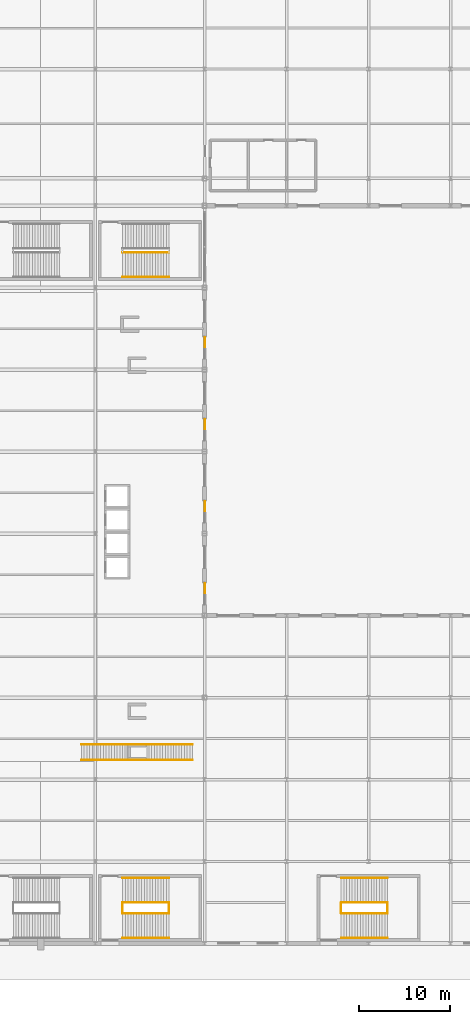
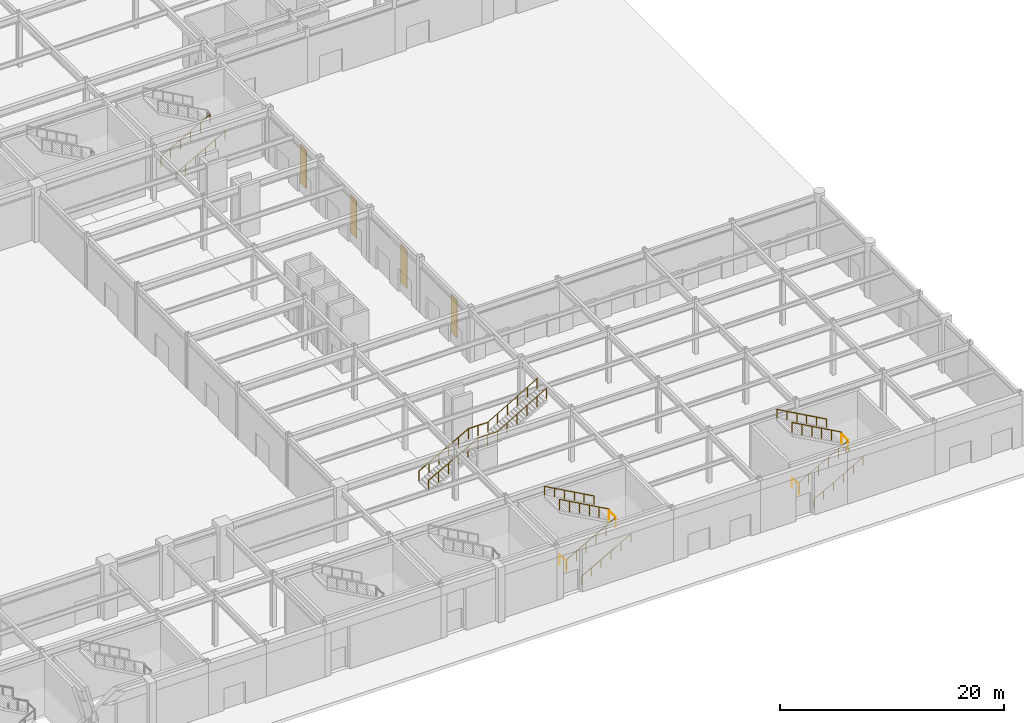
# One storey, part 43 of 44: 16 railings, 4 coverings.
"""IFC4 building model written with IfcOpenShell, lengths in metres."""

from ifc_helpers import new_model, si_unit, direction, frame, origin, origin_2d, place, context, subcontext, project, spatial, rectangle, circle, extrude, material, layer, layer_set, type_object, element, save


model = new_model("IFC4")

# Units and contexts
model_context = context("Model", 3, precision=1e-05, world=origin(), true_north=direction((0.0, 1.0)))
body_context = subcontext(model_context, "Body", "Model", "MODEL_VIEW")
ifc_project = project(units=[si_unit("LENGTHUNIT", "METRE"), si_unit("AREAUNIT", "SQUARE_METRE"), si_unit("VOLUMEUNIT", "CUBIC_METRE"), si_unit("PLANEANGLEUNIT", "RADIAN"), si_unit("MASSUNIT", "GRAM", prefix="KILO")], contexts=[model_context])

# Site, building, storey
site_placement = place(None, origin())
site = spatial("IfcSite", under=ifc_project, at=site_placement, CompositionType="ELEMENT")
building_placement = place(site_placement, origin())
building = spatial("IfcBuilding", under=site, at=building_placement, Name="Kaldorvane Square Convention Centre", CompositionType="ELEMENT")
storey_placement = place(building_placement, origin())
storey = spatial("IfcBuildingStorey", under=building, at=storey_placement, Name="L00", CompositionType="ELEMENT", Elevation=0.0)

# Coverings
ifc_material_1 = material(Name="Concrete f'c = 42 MPa (Normalweight) Precast", Category="concrete")
ifc_layer = layer(ifc_material_1, 0.05999755859375)
ifc_layer_set = layer_set([ifc_layer], Name="Concrete f'c = 42 MPa (Normalweight) Precast")
covering_type = type_object("IfcCoveringType", Name="CV-CLAD-060", PredefinedType="CLADDING", material=ifc_layer_set)
for number, where, z_axis, x_axis, name in (
    (1, (138.02999877929688, 39.0, 0.899993896484375), (0.0, 0.0, 1.0), (1.0, 0.0, 0.0), "Forecourt Pier Architectural Cladding 01"),
    (2, (138.02999877929688, 48.0, 0.899993896484375), (0.0, 0.0, 1.0), (1.0, 0.0, 0.0), "Forecourt Pier Architectural Cladding 02"),
    (3, (138.02999877929688, 57.0, 0.899993896484375), (0.0, 0.0, 1.0), (1.0, 0.0, 0.0), "Forecourt Pier Architectural Cladding 03"),
    (4, (138.02999877929688, 66.0, 0.899993896484375), (0.0, 0.0, 1.0), (1.0, 0.0, 0.0), "Forecourt Pier Architectural Cladding 04"),
):
    element("IfcCovering", number, at=place(storey_placement, frame(where, z_axis=z_axis, x_axis=x_axis)), inside=storey, type_object=covering_type, Name=name, PredefinedType="CLADDING", context=body_context, shape_type="SweptSolid", body=[
        extrude(rectangle(XDim=0.05999755859375, YDim=1.100006103515625, at=origin_2d()), origin(), (0.0, 0.0, 1.0), 4.1999969482421875),
    ])

# Railings
ifc_material_2 = material(Name="Architectural Painted Steel", Category="steel")
railing_type_1 = type_object("IfcRailingType", Name="RL-GUARD-1120", PredefinedType="BALUSTRADE", material=ifc_material_2)
for number, where, name in (
    (5, (128.99000549316406, 3.30999755859375, 0.0), "Convention Exit Stair C10 Floor Well Guard (L00)"),
    (6, (134.08999633789062, 3.30999755859375, 3.0), "Convention Exit Stair C10 Half-Landing Guard (L00)"),
):
    element("IfcRailing", number, at=place(storey_placement, frame(where)), inside=storey, type_object=railing_type_1, Name=name, PredefinedType="BALUSTRADE", context=body_context, shape_type="SweptSolid", body=[
        extrude(circle(Radius=0.0240020751953125, at=origin_2d()), frame((0.0, 0.0, 1.0959930419921875), z_axis=(0.0, 1.0, 0.0), x_axis=(-1.0, 0.0, 0.0)), (0.0, 0.0, 1.0), 1.19000244140625),
        extrude(circle(Radius=0.02099609375, at=origin_2d()), origin(), (0.0, 0.0, 1.0), 1.071990966796875),
        extrude(circle(Radius=0.02099609375, at=origin_2d()), frame((0.0, 1.19000244140625, 0.0)), (0.0, 0.0, 1.0), 1.071990966796875),
    ])
railing_1_placement = place(storey_placement, frame((128.99000549316406, 3.3000030517578125, 0.1666717529296875)))
element("IfcRailing", 7, at=railing_1_placement, inside=storey, type_object=railing_type_1, Name="Convention Exit Stair C10 Flight 1 Guard (L00)", PredefinedType="BALUSTRADE", context=body_context, shape_type="SweptSolid", body=[
    extrude(circle(Radius=0.0240020751953125, at=origin_2d()), frame((0.0, 0.0, 1.0959930419921875), z_axis=(0.874157276122, 0.0, 0.485642931179), x_axis=(0.0, 1.0, 0.0)), (0.0, 0.0, 1.0), 5.8341827392578125),
    extrude(circle(Radius=0.02099609375, at=origin_2d()), origin(), (0.0, 0.0, 1.0), 1.071990966796875),
    extrude(circle(Radius=0.02099609375, at=origin_2d()), frame((1.0200042724609375, 0.0, 0.5666656494140625)), (0.0, 0.0, 1.0), 1.071990966796875),
    extrude(circle(Radius=0.02099609375, at=origin_2d()), frame((2.0399932861328125, 0.0, 1.133331298828125)), (0.0, 0.0, 1.0), 1.071990966796875),
    extrude(circle(Radius=0.02099609375, at=origin_2d()), frame((3.05999755859375, 0.0, 1.6999969482421875)), (0.0, 0.0, 1.0), 1.071990966796875),
    extrude(circle(Radius=0.02099609375, at=origin_2d()), frame((4.079986572265625, 0.0, 2.26666259765625)), (0.0, 0.0, 1.0), 1.071990966796875),
    extrude(circle(Radius=0.02099609375, at=origin_2d()), frame((5.0999908447265625, 0.0, 2.8333282470703125)), (0.0, 0.0, 1.0), 1.071990966796875),
])
railing_2_placement = place(storey_placement, frame((134.08999633789062, 4.5099945068359375, 3.1666717529296875)))
element("IfcRailing", 8, at=railing_2_placement, inside=storey, type_object=railing_type_1, Name="Convention Exit Stair C10 Flight 2 Guard (L00)", PredefinedType="BALUSTRADE", context=body_context, shape_type="SweptSolid", body=[
    extrude(circle(Radius=0.0240020751953125, at=origin_2d()), frame((0.0, 0.0, 1.0959930419921875), z_axis=(-0.874157276122, 0.0, 0.485642931179), x_axis=(0.0, -1.0, 0.0)), (0.0, 0.0, 1.0), 5.8341827392578125),
    extrude(circle(Radius=0.02099609375, at=origin_2d()), origin(), (0.0, 0.0, 1.0), 1.071990966796875),
    extrude(circle(Radius=0.02099609375, at=origin_2d()), frame((-1.0200042724609375, 0.0, 0.5666656494140625)), (0.0, 0.0, 1.0), 1.071990966796875),
    extrude(circle(Radius=0.02099609375, at=origin_2d()), frame((-2.0399932861328125, 0.0, 1.133331298828125)), (0.0, 0.0, 1.0), 1.071990966796875),
    extrude(circle(Radius=0.02099609375, at=origin_2d()), frame((-3.05999755859375, 0.0, 1.6999969482421875)), (0.0, 0.0, 1.0), 1.071990966796875),
    extrude(circle(Radius=0.02099609375, at=origin_2d()), frame((-4.079986572265625, 0.0, 2.26666259765625)), (0.0, 0.0, 1.0), 1.071990966796875),
    extrude(circle(Radius=0.02099609375, at=origin_2d()), frame((-5.0999908447265625, 0.0, 2.8333282470703125)), (0.0, 0.0, 1.0), 1.071990966796875),
])
for number, where, name in (
    (9, (152.99000549316406, 3.30999755859375, 0.0), "Convention Exit Stair C11 Floor Well Guard (L00)"),
    (10, (158.08999633789062, 3.30999755859375, 3.0), "Convention Exit Stair C11 Half-Landing Guard (L00)"),
):
    element("IfcRailing", number, at=place(storey_placement, frame(where)), inside=storey, type_object=railing_type_1, Name=name, PredefinedType="BALUSTRADE", context=body_context, shape_type="SweptSolid", body=[
        extrude(circle(Radius=0.0240020751953125, at=origin_2d()), frame((0.0, 0.0, 1.0959930419921875), z_axis=(0.0, 1.0, 0.0), x_axis=(-1.0, 0.0, 0.0)), (0.0, 0.0, 1.0), 1.19000244140625),
        extrude(circle(Radius=0.02099609375, at=origin_2d()), origin(), (0.0, 0.0, 1.0), 1.071990966796875),
        extrude(circle(Radius=0.02099609375, at=origin_2d()), frame((0.0, 1.19000244140625, 0.0)), (0.0, 0.0, 1.0), 1.071990966796875),
    ])
railing_3_placement = place(storey_placement, frame((152.99000549316406, 3.3000030517578125, 0.1666717529296875)))
element("IfcRailing", 11, at=railing_3_placement, inside=storey, type_object=railing_type_1, Name="Convention Exit Stair C11 Flight 1 Guard (L00)", PredefinedType="BALUSTRADE", context=body_context, shape_type="SweptSolid", body=[
    extrude(circle(Radius=0.0240020751953125, at=origin_2d()), frame((0.0, 0.0, 1.0959930419921875), z_axis=(0.874157276122, 0.0, 0.485642931179), x_axis=(0.0, 1.0, 0.0)), (0.0, 0.0, 1.0), 5.8341827392578125),
    extrude(circle(Radius=0.02099609375, at=origin_2d()), origin(), (0.0, 0.0, 1.0), 1.071990966796875),
    extrude(circle(Radius=0.02099609375, at=origin_2d()), frame((1.0200042724609375, 0.0, 0.5666656494140625)), (0.0, 0.0, 1.0), 1.071990966796875),
    extrude(circle(Radius=0.02099609375, at=origin_2d()), frame((2.0399932861328125, 0.0, 1.133331298828125)), (0.0, 0.0, 1.0), 1.071990966796875),
    extrude(circle(Radius=0.02099609375, at=origin_2d()), frame((3.05999755859375, 0.0, 1.6999969482421875)), (0.0, 0.0, 1.0), 1.071990966796875),
    extrude(circle(Radius=0.02099609375, at=origin_2d()), frame((4.079986572265625, 0.0, 2.26666259765625)), (0.0, 0.0, 1.0), 1.071990966796875),
    extrude(circle(Radius=0.02099609375, at=origin_2d()), frame((5.0999908447265625, 0.0, 2.8333282470703125)), (0.0, 0.0, 1.0), 1.071990966796875),
])
railing_4_placement = place(storey_placement, frame((158.08999633789062, 4.5099945068359375, 3.1666717529296875)))
element("IfcRailing", 12, at=railing_4_placement, inside=storey, type_object=railing_type_1, Name="Convention Exit Stair C11 Flight 2 Guard (L00)", PredefinedType="BALUSTRADE", context=body_context, shape_type="SweptSolid", body=[
    extrude(circle(Radius=0.0240020751953125, at=origin_2d()), frame((0.0, 0.0, 1.0959930419921875), z_axis=(-0.874157276122, 0.0, 0.485642931179), x_axis=(0.0, -1.0, 0.0)), (0.0, 0.0, 1.0), 5.8341827392578125),
    extrude(circle(Radius=0.02099609375, at=origin_2d()), origin(), (0.0, 0.0, 1.0), 1.071990966796875),
    extrude(circle(Radius=0.02099609375, at=origin_2d()), frame((-1.0200042724609375, 0.0, 0.5666656494140625)), (0.0, 0.0, 1.0), 1.071990966796875),
    extrude(circle(Radius=0.02099609375, at=origin_2d()), frame((-2.0399932861328125, 0.0, 1.133331298828125)), (0.0, 0.0, 1.0), 1.071990966796875),
    extrude(circle(Radius=0.02099609375, at=origin_2d()), frame((-3.05999755859375, 0.0, 1.6999969482421875)), (0.0, 0.0, 1.0), 1.071990966796875),
    extrude(circle(Radius=0.02099609375, at=origin_2d()), frame((-4.079986572265625, 0.0, 2.26666259765625)), (0.0, 0.0, 1.0), 1.071990966796875),
    extrude(circle(Radius=0.02099609375, at=origin_2d()), frame((-5.0999908447265625, 0.0, 2.8333282470703125)), (0.0, 0.0, 1.0), 1.071990966796875),
])
railing_5_placement = place(storey_placement, frame((128.99000549316406, 75.85000610351562, 0.1666717529296875)))
element("IfcRailing", 13, at=railing_5_placement, inside=storey, type_object=railing_type_1, Name="Convention Exit Stair C18 Flight 1 Guard (L00)", PredefinedType="BALUSTRADE", context=body_context, shape_type="SweptSolid", body=[
    extrude(circle(Radius=0.0240020751953125, at=origin_2d()), frame((0.0, 0.0, 1.0959930419921875), z_axis=(0.874157276122, 0.0, 0.485642931179), x_axis=(0.0, 1.0, 0.0)), (0.0, 0.0, 1.0), 5.8341827392578125),
    extrude(circle(Radius=0.02099609375, at=origin_2d()), origin(), (0.0, 0.0, 1.0), 1.071990966796875),
    extrude(circle(Radius=0.02099609375, at=origin_2d()), frame((1.0200042724609375, 0.0, 0.5666656494140625)), (0.0, 0.0, 1.0), 1.071990966796875),
    extrude(circle(Radius=0.02099609375, at=origin_2d()), frame((2.0399932861328125, 0.0, 1.133331298828125)), (0.0, 0.0, 1.0), 1.071990966796875),
    extrude(circle(Radius=0.02099609375, at=origin_2d()), frame((3.05999755859375, 0.0, 1.6999969482421875)), (0.0, 0.0, 1.0), 1.071990966796875),
    extrude(circle(Radius=0.02099609375, at=origin_2d()), frame((4.079986572265625, 0.0, 2.26666259765625)), (0.0, 0.0, 1.0), 1.071990966796875),
    extrude(circle(Radius=0.02099609375, at=origin_2d()), frame((5.0999908447265625, 0.0, 2.8333282470703125)), (0.0, 0.0, 1.0), 1.071990966796875),
])
railing_6_placement = place(storey_placement, frame((124.47999572753906, 20.149993896484375, 0.1666717529296875)))
element("IfcRailing", 14, at=railing_6_placement, inside=storey, type_object=railing_type_1, Name="East Foyer Grand Stair F1 Balustrade S (L00)", PredefinedType="BALUSTRADE", context=body_context, shape_type="SweptSolid", body=[
    extrude(circle(Radius=0.0240020751953125, at=origin_2d()), frame((0.0, 0.0, 1.0959930419921875), z_axis=(0.874157892962, 0.0, 0.485641820864), x_axis=(0.0, 1.0, 0.0)), (0.0, 0.0, 1.0), 5.834197998046875),
    extrude(circle(Radius=0.0240020751953125, at=origin_2d()), frame((5.100006103515625, 0.0, 3.9293212890625), z_axis=(1.0, 0.0, 0.0), x_axis=(0.0, 1.0, 0.0)), (0.0, 0.0, 1.0), 2.0),
    extrude(circle(Radius=0.0240020751953125, at=origin_2d()), frame((7.100006103515625, 0.0, 3.9293212890625), z_axis=(0.861933817393, 0.0, 0.507020802763), x_axis=(0.0, 1.0, 0.0)), (0.0, 0.0, 1.0), 5.9169158935546875),
    extrude(circle(Radius=0.02099609375, at=origin_2d()), origin(), (0.0, 0.0, 1.0), 1.071990966796875),
    extrude(circle(Radius=0.02099609375, at=origin_2d()), frame((1.0200042724609375, 0.0, 0.5666656494140625)), (0.0, 0.0, 1.0), 1.071990966796875),
    extrude(circle(Radius=0.02099609375, at=origin_2d()), frame((2.040008544921875, 0.0, 1.133331298828125)), (0.0, 0.0, 1.0), 1.071990966796875),
    extrude(circle(Radius=0.02099609375, at=origin_2d()), frame((3.05999755859375, 0.0, 1.6999969482421875)), (0.0, 0.0, 1.0), 1.071990966796875),
    extrude(circle(Radius=0.02099609375, at=origin_2d()), frame((4.0800018310546875, 0.0, 2.26666259765625)), (0.0, 0.0, 1.0), 1.071990966796875),
    extrude(circle(Radius=0.02099609375, at=origin_2d()), frame((5.100006103515625, 0.0, 2.8333282470703125)), (0.0, 0.0, 1.0), 1.071990966796875),
    extrude(circle(Radius=0.02099609375, at=origin_2d()), frame((6.100006103515625, 0.0, 2.8333282470703125)), (0.0, 0.0, 1.0), 1.071990966796875),
    extrude(circle(Radius=0.02099609375, at=origin_2d()), frame((7.100006103515625, 0.0, 2.8333282470703125)), (0.0, 0.0, 1.0), 1.071990966796875),
    extrude(circle(Radius=0.02099609375, at=origin_2d()), frame((8.120010375976562, 0.0, 3.4333343505859375)), (0.0, 0.0, 1.0), 1.071990966796875),
    extrude(circle(Radius=0.02099609375, at=origin_2d()), frame((9.139999389648438, 0.0, 4.0333251953125)), (0.0, 0.0, 1.0), 1.071990966796875),
    extrude(circle(Radius=0.02099609375, at=origin_2d()), frame((10.160003662109375, 0.0, 4.633331298828125)), (0.0, 0.0, 1.0), 1.071990966796875),
    extrude(circle(Radius=0.02099609375, at=origin_2d()), frame((11.17999267578125, 0.0, 5.2333221435546875)), (0.0, 0.0, 1.0), 1.071990966796875),
    extrude(circle(Radius=0.02099609375, at=origin_2d()), frame((12.199996948242188, 0.0, 5.8333282470703125)), (0.0, 0.0, 1.0), 1.071990966796875),
])
railing_7_placement = place(storey_placement, frame((124.47999572753906, 21.850006103515625, 0.1666717529296875)))
element("IfcRailing", 15, at=railing_7_placement, inside=storey, type_object=railing_type_1, Name="East Foyer Grand Stair F1 Balustrade N (L00)", PredefinedType="BALUSTRADE", context=body_context, shape_type="SweptSolid", body=[
    extrude(circle(Radius=0.0240020751953125, at=origin_2d()), frame((0.0, 0.0, 1.0959930419921875), z_axis=(0.874157892962, 0.0, 0.485641820864), x_axis=(0.0, 1.0, 0.0)), (0.0, 0.0, 1.0), 5.834197998046875),
    extrude(circle(Radius=0.0240020751953125, at=origin_2d()), frame((5.100006103515625, 0.0, 3.9293212890625), z_axis=(1.0, 0.0, 0.0), x_axis=(0.0, 1.0, 0.0)), (0.0, 0.0, 1.0), 2.0),
    extrude(circle(Radius=0.0240020751953125, at=origin_2d()), frame((7.100006103515625, 0.0, 3.9293212890625), z_axis=(0.861933817393, 0.0, 0.507020802763), x_axis=(0.0, 1.0, 0.0)), (0.0, 0.0, 1.0), 5.9169158935546875),
    extrude(circle(Radius=0.02099609375, at=origin_2d()), origin(), (0.0, 0.0, 1.0), 1.071990966796875),
    extrude(circle(Radius=0.02099609375, at=origin_2d()), frame((1.0200042724609375, 0.0, 0.5666656494140625)), (0.0, 0.0, 1.0), 1.071990966796875),
    extrude(circle(Radius=0.02099609375, at=origin_2d()), frame((2.040008544921875, 0.0, 1.133331298828125)), (0.0, 0.0, 1.0), 1.071990966796875),
    extrude(circle(Radius=0.02099609375, at=origin_2d()), frame((3.05999755859375, 0.0, 1.6999969482421875)), (0.0, 0.0, 1.0), 1.071990966796875),
    extrude(circle(Radius=0.02099609375, at=origin_2d()), frame((4.0800018310546875, 0.0, 2.26666259765625)), (0.0, 0.0, 1.0), 1.071990966796875),
    extrude(circle(Radius=0.02099609375, at=origin_2d()), frame((5.100006103515625, 0.0, 2.8333282470703125)), (0.0, 0.0, 1.0), 1.071990966796875),
    extrude(circle(Radius=0.02099609375, at=origin_2d()), frame((6.100006103515625, 0.0, 2.8333282470703125)), (0.0, 0.0, 1.0), 1.071990966796875),
    extrude(circle(Radius=0.02099609375, at=origin_2d()), frame((7.100006103515625, 0.0, 2.8333282470703125)), (0.0, 0.0, 1.0), 1.071990966796875),
    extrude(circle(Radius=0.02099609375, at=origin_2d()), frame((8.120010375976562, 0.0, 3.4333343505859375)), (0.0, 0.0, 1.0), 1.071990966796875),
    extrude(circle(Radius=0.02099609375, at=origin_2d()), frame((9.139999389648438, 0.0, 4.0333251953125)), (0.0, 0.0, 1.0), 1.071990966796875),
    extrude(circle(Radius=0.02099609375, at=origin_2d()), frame((10.160003662109375, 0.0, 4.633331298828125)), (0.0, 0.0, 1.0), 1.071990966796875),
    extrude(circle(Radius=0.02099609375, at=origin_2d()), frame((11.17999267578125, 0.0, 5.2333221435546875)), (0.0, 0.0, 1.0), 1.071990966796875),
    extrude(circle(Radius=0.02099609375, at=origin_2d()), frame((12.199996948242188, 0.0, 5.8333282470703125)), (0.0, 0.0, 1.0), 1.071990966796875),
])
railing_type_2 = type_object("IfcRailingType", Name="RL-HAND-915", PredefinedType="HANDRAIL", material=ifc_material_2)
railing_8_placement = place(storey_placement, frame((128.99000549316406, 0.6199951171875, 0.1666717529296875)))
element("IfcRailing", 16, at=railing_8_placement, inside=storey, type_object=railing_type_2, Name="Convention Exit Stair C10 Wall Handrail 1 (L00)", PredefinedType="HANDRAIL", context=body_context, shape_type="SweptSolid", body=[
    extrude(circle(Radius=0.0240020751953125, at=origin_2d()), frame((0.0, 0.0, 0.8909912109375), z_axis=(0.874157276122, 0.0, 0.485642931179), x_axis=(0.0, 1.0, 0.0)), (0.0, 0.0, 1.0), 5.8341827392578125),
    extrude(circle(Radius=0.02099609375, at=origin_2d()), origin(), (0.0, 0.0, 1.0), 0.8669891357421875),
    extrude(circle(Radius=0.02099609375, at=origin_2d()), frame((1.0200042724609375, 0.0, 0.5666656494140625)), (0.0, 0.0, 1.0), 0.8669891357421875),
    extrude(circle(Radius=0.02099609375, at=origin_2d()), frame((2.0399932861328125, 0.0, 1.133331298828125)), (0.0, 0.0, 1.0), 0.8669891357421875),
    extrude(circle(Radius=0.02099609375, at=origin_2d()), frame((3.05999755859375, 0.0, 1.6999969482421875)), (0.0, 0.0, 1.0), 0.8669891357421875),
    extrude(circle(Radius=0.02099609375, at=origin_2d()), frame((4.079986572265625, 0.0, 2.26666259765625)), (0.0, 0.0, 1.0), 0.8669891357421875),
    extrude(circle(Radius=0.02099609375, at=origin_2d()), frame((5.0999908447265625, 0.0, 2.8333282470703125)), (0.0, 0.0, 1.0), 0.8669891357421875),
])
railing_9_placement = place(storey_placement, frame((134.08999633789062, 7.19000244140625, 3.1666717529296875)))
element("IfcRailing", 17, at=railing_9_placement, inside=storey, type_object=railing_type_2, Name="Convention Exit Stair C10 Wall Handrail 2 (L00)", PredefinedType="HANDRAIL", context=body_context, shape_type="SweptSolid", body=[
    extrude(circle(Radius=0.0240020751953125, at=origin_2d()), frame((0.0, 0.0, 0.8909912109375), z_axis=(-0.874157276122, 0.0, 0.485642931179), x_axis=(0.0, -1.0, 0.0)), (0.0, 0.0, 1.0), 5.8341827392578125),
    extrude(circle(Radius=0.02099609375, at=origin_2d()), origin(), (0.0, 0.0, 1.0), 0.8669891357421875),
    extrude(circle(Radius=0.02099609375, at=origin_2d()), frame((-1.0200042724609375, 0.0, 0.5666656494140625)), (0.0, 0.0, 1.0), 0.8669891357421875),
    extrude(circle(Radius=0.02099609375, at=origin_2d()), frame((-2.0399932861328125, 0.0, 1.133331298828125)), (0.0, 0.0, 1.0), 0.8669891357421875),
    extrude(circle(Radius=0.02099609375, at=origin_2d()), frame((-3.05999755859375, 0.0, 1.6999969482421875)), (0.0, 0.0, 1.0), 0.8669891357421875),
    extrude(circle(Radius=0.02099609375, at=origin_2d()), frame((-4.079986572265625, 0.0, 2.26666259765625)), (0.0, 0.0, 1.0), 0.8669891357421875),
    extrude(circle(Radius=0.02099609375, at=origin_2d()), frame((-5.0999908447265625, 0.0, 2.8333282470703125)), (0.0, 0.0, 1.0), 0.8669891357421875),
])
railing_10_placement = place(storey_placement, frame((152.99000549316406, 0.6199951171875, 0.1666717529296875)))
element("IfcRailing", 18, at=railing_10_placement, inside=storey, type_object=railing_type_2, Name="Convention Exit Stair C11 Wall Handrail 1 (L00)", PredefinedType="HANDRAIL", context=body_context, shape_type="SweptSolid", body=[
    extrude(circle(Radius=0.0240020751953125, at=origin_2d()), frame((0.0, 0.0, 0.8909912109375), z_axis=(0.874157276122, 0.0, 0.485642931179), x_axis=(0.0, 1.0, 0.0)), (0.0, 0.0, 1.0), 5.8341827392578125),
    extrude(circle(Radius=0.02099609375, at=origin_2d()), origin(), (0.0, 0.0, 1.0), 0.8669891357421875),
    extrude(circle(Radius=0.02099609375, at=origin_2d()), frame((1.0200042724609375, 0.0, 0.5666656494140625)), (0.0, 0.0, 1.0), 0.8669891357421875),
    extrude(circle(Radius=0.02099609375, at=origin_2d()), frame((2.0399932861328125, 0.0, 1.133331298828125)), (0.0, 0.0, 1.0), 0.8669891357421875),
    extrude(circle(Radius=0.02099609375, at=origin_2d()), frame((3.05999755859375, 0.0, 1.6999969482421875)), (0.0, 0.0, 1.0), 0.8669891357421875),
    extrude(circle(Radius=0.02099609375, at=origin_2d()), frame((4.079986572265625, 0.0, 2.26666259765625)), (0.0, 0.0, 1.0), 0.8669891357421875),
    extrude(circle(Radius=0.02099609375, at=origin_2d()), frame((5.0999908447265625, 0.0, 2.8333282470703125)), (0.0, 0.0, 1.0), 0.8669891357421875),
])
railing_11_placement = place(storey_placement, frame((158.08999633789062, 7.19000244140625, 3.1666717529296875)))
element("IfcRailing", 19, at=railing_11_placement, inside=storey, type_object=railing_type_2, Name="Convention Exit Stair C11 Wall Handrail 2 (L00)", PredefinedType="HANDRAIL", context=body_context, shape_type="SweptSolid", body=[
    extrude(circle(Radius=0.0240020751953125, at=origin_2d()), frame((0.0, 0.0, 0.8909912109375), z_axis=(-0.874157276122, 0.0, 0.485642931179), x_axis=(0.0, -1.0, 0.0)), (0.0, 0.0, 1.0), 5.8341827392578125),
    extrude(circle(Radius=0.02099609375, at=origin_2d()), origin(), (0.0, 0.0, 1.0), 0.8669891357421875),
    extrude(circle(Radius=0.02099609375, at=origin_2d()), frame((-1.0200042724609375, 0.0, 0.5666656494140625)), (0.0, 0.0, 1.0), 0.8669891357421875),
    extrude(circle(Radius=0.02099609375, at=origin_2d()), frame((-2.0399932861328125, 0.0, 1.133331298828125)), (0.0, 0.0, 1.0), 0.8669891357421875),
    extrude(circle(Radius=0.02099609375, at=origin_2d()), frame((-3.05999755859375, 0.0, 1.6999969482421875)), (0.0, 0.0, 1.0), 0.8669891357421875),
    extrude(circle(Radius=0.02099609375, at=origin_2d()), frame((-4.079986572265625, 0.0, 2.26666259765625)), (0.0, 0.0, 1.0), 0.8669891357421875),
    extrude(circle(Radius=0.02099609375, at=origin_2d()), frame((-5.0999908447265625, 0.0, 2.8333282470703125)), (0.0, 0.0, 1.0), 0.8669891357421875),
])
railing_12_placement = place(storey_placement, frame((128.99000549316406, 73.16999816894531, 0.1666717529296875)))
element("IfcRailing", 20, at=railing_12_placement, inside=storey, type_object=railing_type_2, Name="Convention Exit Stair C18 Wall Handrail 1 (L00)", PredefinedType="HANDRAIL", context=body_context, shape_type="SweptSolid", body=[
    extrude(circle(Radius=0.0240020751953125, at=origin_2d()), frame((0.0, 0.0, 0.8909912109375), z_axis=(0.874157276122, 0.0, 0.485642931179), x_axis=(0.0, 1.0, 0.0)), (0.0, 0.0, 1.0), 5.8341827392578125),
    extrude(circle(Radius=0.02099609375, at=origin_2d()), origin(), (0.0, 0.0, 1.0), 0.8669891357421875),
    extrude(circle(Radius=0.02099609375, at=origin_2d()), frame((1.0200042724609375, 0.0, 0.5666656494140625)), (0.0, 0.0, 1.0), 0.8669891357421875),
    extrude(circle(Radius=0.02099609375, at=origin_2d()), frame((2.0399932861328125, 0.0, 1.133331298828125)), (0.0, 0.0, 1.0), 0.8669891357421875),
    extrude(circle(Radius=0.02099609375, at=origin_2d()), frame((3.05999755859375, 0.0, 1.6999969482421875)), (0.0, 0.0, 1.0), 0.8669891357421875),
    extrude(circle(Radius=0.02099609375, at=origin_2d()), frame((4.079986572265625, 0.0, 2.26666259765625)), (0.0, 0.0, 1.0), 0.8669891357421875),
    extrude(circle(Radius=0.02099609375, at=origin_2d()), frame((5.0999908447265625, 0.0, 2.8333282470703125)), (0.0, 0.0, 1.0), 0.8669891357421875),
])

save(model, "model.ifc")
